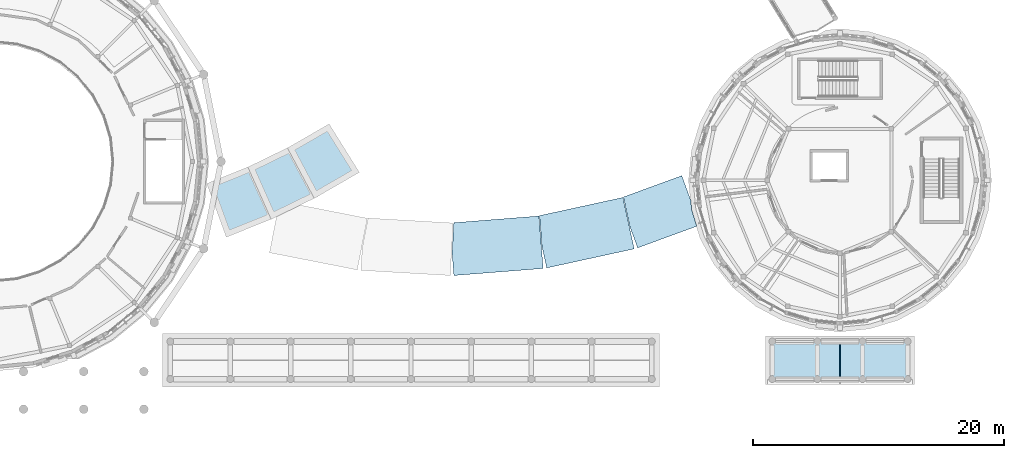
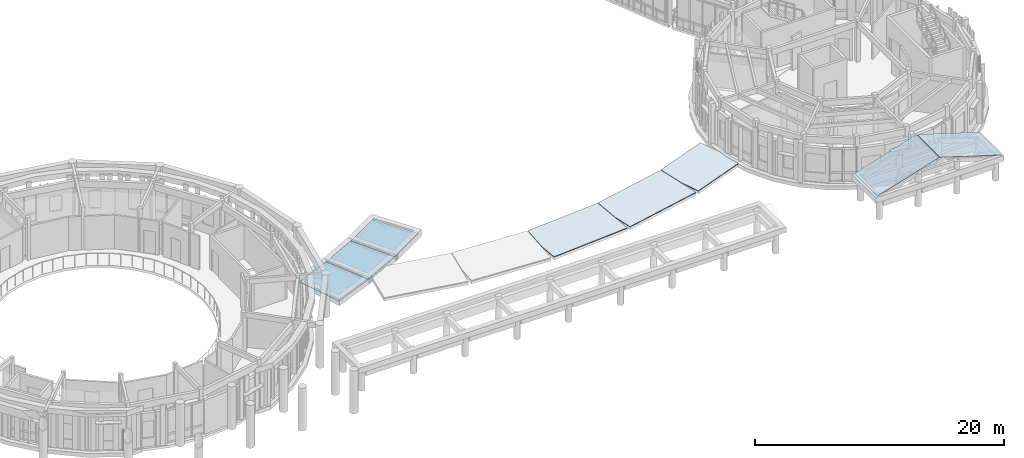
# One storey, part 58 of 80: 8 roofs.
"""IFC4 building model written with IfcOpenShell, lengths in metres."""

from ifc_helpers import new_model, si_unit, direction, frame, origin, place, context, subcontext, project, spatial, polyline, outline, extrude, material, layer, layer_set, type_object, element, save


model = new_model("IFC4")

# Units and contexts
model_context = context("Model", 3, precision=1e-05, world=origin(), true_north=direction((0.0, 1.0)))
body_context = subcontext(model_context, "Body", "Model", "MODEL_VIEW")
ifc_project = project(units=[si_unit("LENGTHUNIT", "METRE"), si_unit("AREAUNIT", "SQUARE_METRE"), si_unit("VOLUMEUNIT", "CUBIC_METRE"), si_unit("PLANEANGLEUNIT", "RADIAN"), si_unit("MASSUNIT", "GRAM", prefix="KILO")], contexts=[model_context])

# Site, building, storey
site_placement = place(None, origin())
site = spatial("IfcSite", under=ifc_project, at=site_placement, CompositionType="ELEMENT")
building_placement = place(site_placement, origin())
building = spatial("IfcBuilding", under=site, at=building_placement, Name="Aldenvaro Health Centre", CompositionType="ELEMENT")
storey_placement = place(building_placement, frame((0.0, 0.0, 4.550048828125)))
storey = spatial("IfcBuildingStorey", under=building, at=storey_placement, Name="L01", CompositionType="ELEMENT", Elevation=4.550048828125)

# Roofs
ifc_material_1 = material(Name="Concrete f'c 40 MPa", Category="concrete")
ifc_layer_1 = layer(ifc_material_1, 0.205078125, Name="Concrete f'c 40 MPa", Category="concrete")
ifc_layer_set_1 = layer_set([ifc_layer_1], Name="Concrete f'c 40 MPa")
roof_type_1 = type_object("IfcRoofType", Name="RF-FLAT-205", PredefinedType="FLAT_ROOF", material=ifc_layer_set_1)
roof_1_placement = place(storey_placement, origin())
element("IfcRoof", 1, at=roof_1_placement, inside=storey, type_object=roof_type_1, Name="South East Curved Peristyle Walkway Arc 3 flat roof", PredefinedType="FLAT_ROOF", context=body_context, shape_type="SweptSolid", body=[
    extrude(outline(polyline([(130.50390625, 15.656982421875), (130.833984375, 11.468994140625), (123.715087890625, 10.908935546875), (123.572998046875, 12.708984375), (123.7119140625, 15.1220703125), (130.50390625, 15.656982421875)])), origin(), (0.0, 0.0, 1.0), 0.06005859375),
])
roof_2_placement = place(storey_placement, origin())
element("IfcRoof", 2, at=roof_2_placement, inside=storey, type_object=roof_type_1, Name="South East Curved Peristyle Walkway Arc 4 flat roof", PredefinedType="FLAT_ROOF", context=body_context, shape_type="SweptSolid", body=[
    extrude(outline(polyline([(137.198974609375, 17.136962890625), (138.094970703125, 13.032958984375), (131.116943359375, 11.510986328125), (130.73193359375, 13.27490234375), (130.5419921875, 15.68505859375), (137.198974609375, 17.136962890625)])), origin(), (0.0, 0.0, 1.0), 0.06005859375),
])
roof_3_placement = place(storey_placement, origin())
element("IfcRoof", 3, at=roof_3_placement, inside=storey, type_object=roof_type_1, Name="South East Curved Peristyle Walkway Arc 5 flat roof", PredefinedType="FLAT_ROOF", context=body_context, shape_type="SweptSolid", body=[
    extrude(outline(polyline([(138.368896484375, 13.113037109375), (137.7490234375, 14.80810546875), (137.23291015625, 17.169921875), (141.885986328125, 18.8720703125), (142.60791015625, 16.89990234375), (142.681884765625, 16.14892578125), (143.080078125, 14.8369140625), (138.368896484375, 13.113037109375)])), origin(), (0.0, 0.0, 1.0), 0.06005859375),
])
ifc_layer_2 = layer(ifc_material_1, 0.22998046875, Name="Concrete f'c 40 MPa", Category="concrete")
ifc_layer_set_2 = layer_set([ifc_layer_2], Name="Concrete f'c 40 MPa")
roof_type_2 = type_object("IfcRoofType", Name="RF-FLAT-230", PredefinedType="FLAT_ROOF", material=ifc_layer_set_2)
roof_4_placement = place(storey_placement, origin())
element("IfcRoof", 4, at=roof_4_placement, inside=storey, type_object=roof_type_2, Name="Colonnade Flat Roof Membrane 07", PredefinedType="FLAT_ROOF", context=body_context, shape_type="SweptSolid", body=[
    extrude(outline(polyline([(113.7080078125, 22.758056640625), (115.93408203125, 19.197021484375), (112.658935546875, 17.305908203125), (110.68701171875, 21.013916015625), (113.7080078125, 22.758056640625)])), origin(), (0.0, 0.0, 1.0), 0.06005859375),
])
ifc_material_2 = material(Name="Cross-laminated timber CLT E1", Category="wood")
ifc_layer_3 = layer(ifc_material_2, 0.239990234375, Name="Cross-laminated timber CLT E1", Category="wood")
ifc_layer_set_3 = layer_set([ifc_layer_3], Name="Cross-laminated timber CLT E1")
roof_type_3 = type_object("IfcRoofType", Name="RF-HIP-240", PredefinedType="HIP_ROOF", material=ifc_layer_set_3)
roof_5_placement = place(storey_placement, origin())
element("IfcRoof", 5, at=roof_5_placement, inside=storey, type_object=roof_type_3, Name="Colonnade Flat Roof Membrane 06", PredefinedType="HIP_ROOF", context=body_context, shape_type="SweptSolid", body=[
    extrude(outline(polyline([(110.660888671875, 20.9990234375), (112.633056640625, 17.291015625), (109.235107421875, 15.633056640625), (107.527099609375, 19.469970703125), (110.660888671875, 20.9990234375)])), origin(), (0.0, 0.0, 1.0), 0.06005859375),
])
for number, where, z_axis, x_axis, name in (
    (6, (148.719970703125, 2.300048828125, 2.46484375), (-0.297240682512, 0.0, 0.954802585177), (0.954802585177, 0.0, 0.297240682512), "Pavilion Portico E6 Terracotta Pediment Roof W"),
    (7, (154.530029296875, 2.300048828125, 4.2548828125), (0.297240682512, 0.0, 0.954802585177), (0.954802585177, 0.0, -0.297240682512), "Pavilion Portico E6 Terracotta Pediment Roof E"),
):
    element("IfcRoof", number, at=place(storey_placement, frame(where, z_axis=z_axis, x_axis=x_axis)), inside=storey, type_object=roof_type_3, Name=name, PredefinedType="HIP_ROOF", context=body_context, shape_type="SweptSolid", body=[
        extrude(outline(polyline([(0.0, 0.0), (6.022187297425734, 0.0), (6.022187297425734, 3.6999511718749996), (0.0, 3.6999511718749996), (0.0, 0.0)])), origin(), (0.0, 0.0, -1.0), 0.054931640625),
    ])
ifc_layer_4 = layer(ifc_material_2, 0.260009765625, Name="Cross-laminated timber CLT E1", Category="wood")
ifc_layer_set_4 = layer_set([ifc_layer_4], Name="Cross-laminated timber CLT E1")
roof_type_4 = type_object("IfcRoofType", Name="RF-HIP-260", PredefinedType="HIP_ROOF", material=ifc_layer_set_4)
roof_6_placement = place(storey_placement, origin())
element("IfcRoof", 8, at=roof_6_placement, inside=storey, type_object=roof_type_4, Name="Colonnade Flat Roof Membrane 05", PredefinedType="HIP_ROOF", context=body_context, shape_type="SweptSolid", body=[
    extrude(outline(polyline([(107.5, 19.45703125), (109.2080078125, 15.6201171875), (105.674072265625, 14.193115234375), (104.238037109375, 18.138916015625), (107.5, 19.45703125)])), origin(), (0.0, 0.0, 1.0), 0.06005859375),
])

save(model, "model.ifc")
